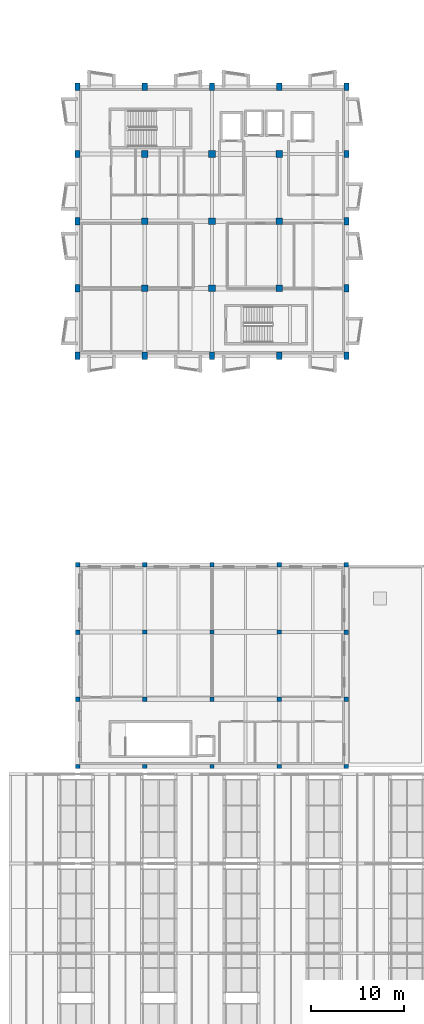
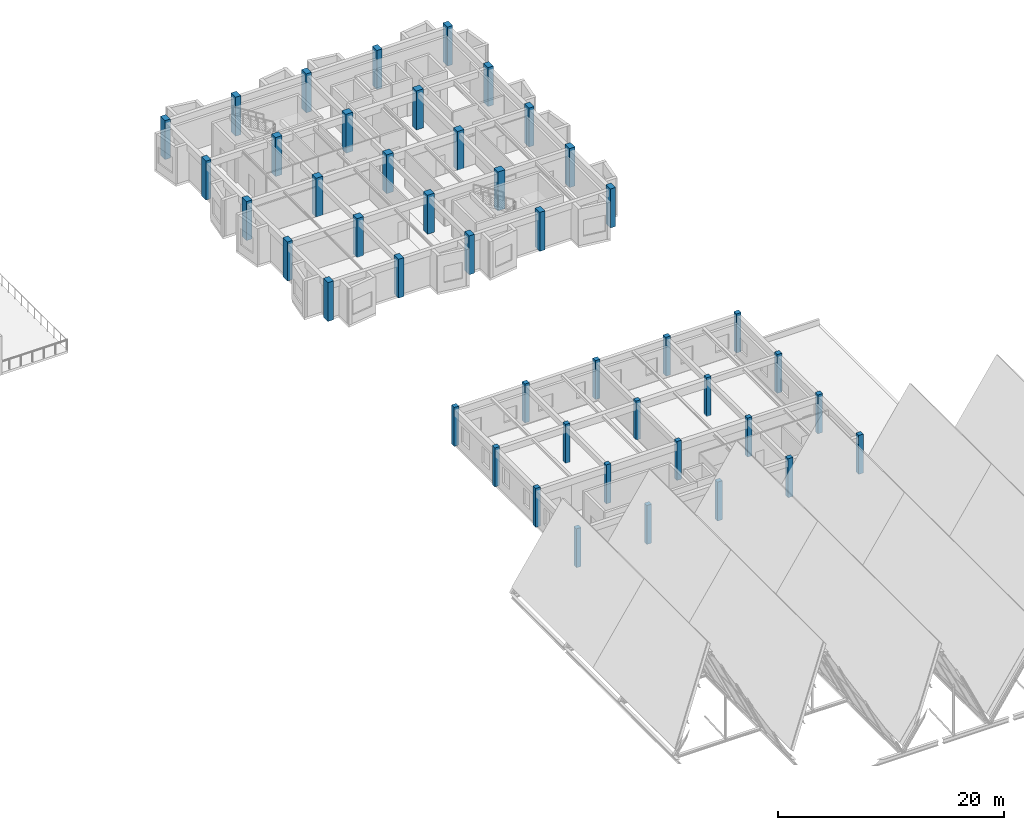
# One storey, part 5 of 99: 45 columns.
"""IFC4 building model written with IfcOpenShell, lengths in metres."""

from ifc_helpers import new_model, si_unit, direction, frame, origin, origin_2d, place, context, subcontext, project, spatial, rectangle, extrude, material, material_profile, profile_set, type_object, element, save


model = new_model("IFC4")

# Units and contexts
model_context = context("Model", 3, precision=1e-05, world=origin(), true_north=direction((0.0, 1.0)))
body_context = subcontext(model_context, "Body", "Model", "MODEL_VIEW")
ifc_project = project(units=[si_unit("LENGTHUNIT", "METRE"), si_unit("AREAUNIT", "SQUARE_METRE"), si_unit("VOLUMEUNIT", "CUBIC_METRE"), si_unit("PLANEANGLEUNIT", "RADIAN"), si_unit("MASSUNIT", "GRAM", prefix="KILO")], contexts=[model_context])

# Site, building, storey
site_placement = place(None, origin())
site = spatial("IfcSite", under=ifc_project, at=site_placement, CompositionType="ELEMENT")
building_placement = place(site_placement, origin())
building = spatial("IfcBuilding", under=site, at=building_placement, Name="Bramveld Media Centre", CompositionType="ELEMENT")
storey_placement = place(building_placement, frame((0.0, 0.0, 13.800048828125)))
storey = spatial("IfcBuildingStorey", under=building, at=storey_placement, Name="L03", CompositionType="ELEMENT", Elevation=13.800048828125)

# Columns
ifc_material_1 = material(Name="Concrete C40/50", Category="concrete")
ifc_material_profile_1 = material_profile(ifc_material_1, rectangle(XDim=0.47998046875, YDim=0.47998046875, at=origin_2d()), Name="RC 480x480")
ifc_profile_set_1 = profile_set([ifc_material_profile_1], Name="Concrete C40/50")
column_type_1 = type_object("IfcColumnType", Name="COL-EXT-RC-480x480", PredefinedType="COLUMN", material=ifc_profile_set_1)
for number, where, z_axis, x_axis, name in (
    (1, (131.199951171875, 39.199951171875, 0.0), (0.0, 0.0, 1.0), (1.0, 0.0, 0.0), "V4 L03 column RC 480x480"),
    (2, (131.199951171875, 46.39990234375, 0.0), (0.0, 0.0, 1.0), (1.0, 0.0, 0.0), "V4 L03 column RC 480x480"),
    (3, (131.199951171875, 53.60009765625, 0.0), (0.0, 0.0, 1.0), (1.0, 0.0, 0.0), "V4 L03 column RC 480x480"),
    (4, (131.199951171875, 60.800048828125, 0.0), (0.0, 0.0, 1.0), (1.0, 0.0, 0.0), "V4 L03 column RC 480x480"),
    (5, (138.39990234375, 39.199951171875, 0.0), (0.0, 0.0, 1.0), (1.0, 0.0, 0.0), "V4 L03 column RC 480x480"),
    (6, (138.39990234375, 60.800048828125, 0.0), (0.0, 0.0, 1.0), (1.0, 0.0, 0.0), "V4 L03 column RC 480x480"),
    (7, (145.60009765625, 39.199951171875, 0.0), (0.0, 0.0, 1.0), (1.0, 0.0, 0.0), "V4 L03 column RC 480x480"),
    (8, (145.60009765625, 60.800048828125, 0.0), (0.0, 0.0, 1.0), (1.0, 0.0, 0.0), "V4 L03 column RC 480x480"),
    (9, (152.800048828125, 39.199951171875, 0.0), (0.0, 0.0, 1.0), (1.0, 0.0, 0.0), "V4 L03 column RC 480x480"),
    (10, (152.800048828125, 60.800048828125, 0.0), (0.0, 0.0, 1.0), (1.0, 0.0, 0.0), "V4 L03 column RC 480x480"),
    (11, (160.0, 39.199951171875, 0.0), (0.0, 0.0, 1.0), (1.0, 0.0, 0.0), "V4 L03 column RC 480x480"),
    (12, (160.0, 46.39990234375, 0.0), (0.0, 0.0, 1.0), (1.0, 0.0, 0.0), "V4 L03 column RC 480x480"),
    (13, (160.0, 53.60009765625, 0.0), (0.0, 0.0, 1.0), (1.0, 0.0, 0.0), "V4 L03 column RC 480x480"),
    (14, (160.0, 60.800048828125, 0.0), (0.0, 0.0, 1.0), (1.0, 0.0, 0.0), "V4 L03 column RC 480x480"),
):
    element("IfcColumn", number, at=place(storey_placement, frame(where, z_axis=z_axis, x_axis=x_axis)), inside=storey, type_object=column_type_1, Name=name, PredefinedType="COLUMN", context=body_context, shape_type="SweptSolid", body=[
        extrude(rectangle(XDim=0.47998046875, YDim=0.47998046875, at=origin_2d()), origin(), (0.0, 0.0, 1.0), 4.199951171875),
    ])
ifc_material_2 = material(Name="Concrete C40/50", Category="concrete")
ifc_material_profile_2 = material_profile(ifc_material_2, rectangle(XDim=0.550048828125, YDim=0.800048828125, at=origin_2d()), Name="RC 550x800")
ifc_profile_set_2 = profile_set([ifc_material_profile_2], Name="Concrete C40/50")
column_type_2 = type_object("IfcColumnType", Name="COL-EXT-RC-550x800", PredefinedType="COLUMN", material=ifc_profile_set_2)
for number, where, z_axis, x_axis, name in (
    (15, (131.199951171875, 83.199951171875, 0.0), (0.0, 0.0, 1.0), (1.0, 0.0, 0.0), "V7 L03 column RC 550x800"),
    (16, (131.199951171875, 90.39990234375, 0.0), (0.0, 0.0, 1.0), (1.0, 0.0, 0.0), "V7 L03 column RC 550x800"),
    (17, (131.199951171875, 97.60009765625, 0.0), (0.0, 0.0, 1.0), (1.0, 0.0, 0.0), "V7 L03 column RC 550x800"),
    (18, (131.199951171875, 104.800048828125, 0.0), (0.0, 0.0, 1.0), (1.0, 0.0, 0.0), "V7 L03 column RC 550x800"),
    (19, (131.199951171875, 112.0, 0.0), (0.0, 0.0, 1.0), (1.0, 0.0, 0.0), "V7 L03 column RC 550x800"),
    (20, (138.39990234375, 83.199951171875, 0.0), (0.0, 0.0, 1.0), (1.0, 0.0, 0.0), "V7 L03 column RC 550x800"),
    (21, (138.39990234375, 112.0, 0.0), (0.0, 0.0, 1.0), (1.0, 0.0, 0.0), "V7 L03 column RC 550x800"),
    (22, (145.60009765625, 83.199951171875, 0.0), (0.0, 0.0, 1.0), (1.0, 0.0, 0.0), "V7 L03 column RC 550x800"),
    (23, (145.60009765625, 112.0, 0.0), (0.0, 0.0, 1.0), (1.0, 0.0, 0.0), "V7 L03 column RC 550x800"),
    (24, (152.800048828125, 83.199951171875, 0.0), (0.0, 0.0, 1.0), (1.0, 0.0, 0.0), "V7 L03 column RC 550x800"),
    (25, (152.800048828125, 112.0, 0.0), (0.0, 0.0, 1.0), (1.0, 0.0, 0.0), "V7 L03 column RC 550x800"),
    (26, (160.0, 83.199951171875, 0.0), (0.0, 0.0, 1.0), (1.0, 0.0, 0.0), "V7 L03 column RC 550x800"),
    (27, (160.0, 90.39990234375, 0.0), (0.0, 0.0, 1.0), (1.0, 0.0, 0.0), "V7 L03 column RC 550x800"),
    (28, (160.0, 97.60009765625, 0.0), (0.0, 0.0, 1.0), (1.0, 0.0, 0.0), "V7 L03 column RC 550x800"),
    (29, (160.0, 104.800048828125, 0.0), (0.0, 0.0, 1.0), (1.0, 0.0, 0.0), "V7 L03 column RC 550x800"),
    (30, (160.0, 112.0, 0.0), (0.0, 0.0, 1.0), (1.0, 0.0, 0.0), "V7 L03 column RC 550x800"),
):
    element("IfcColumn", number, at=place(storey_placement, frame(where, z_axis=z_axis, x_axis=x_axis)), inside=storey, type_object=column_type_2, Name=name, PredefinedType="COLUMN", context=body_context, shape_type="SweptSolid", body=[
        extrude(rectangle(XDim=0.550048828125, YDim=0.800048828125, at=origin_2d()), origin(), (0.0, 0.0, 1.0), 4.199951171875),
    ])
ifc_material_3 = material(Name="Concrete C40/50", Category="concrete")
ifc_material_profile_3 = material_profile(ifc_material_3, rectangle(XDim=0.449951171875, YDim=0.449951171875, at=origin_2d()), Name="RC 450x450")
ifc_profile_set_3 = profile_set([ifc_material_profile_3], Name="Concrete C40/50")
column_type_3 = type_object("IfcColumnType", Name="COL-INT-RC-450x450", PredefinedType="COLUMN", material=ifc_profile_set_3)
for number, where, z_axis, x_axis, name in (
    (31, (138.39990234375, 46.39990234375, 0.0), (0.0, 0.0, 1.0), (1.0, 0.0, 0.0), "V4 L03 column RC 450x450"),
    (32, (138.39990234375, 53.60009765625, 0.0), (0.0, 0.0, 1.0), (1.0, 0.0, 0.0), "V4 L03 column RC 450x450"),
    (33, (145.60009765625, 46.39990234375, 0.0), (0.0, 0.0, 1.0), (1.0, 0.0, 0.0), "V4 L03 column RC 450x450"),
    (34, (145.60009765625, 53.60009765625, 0.0), (0.0, 0.0, 1.0), (1.0, 0.0, 0.0), "V4 L03 column RC 450x450"),
    (35, (152.800048828125, 46.39990234375, 0.0), (0.0, 0.0, 1.0), (1.0, 0.0, 0.0), "V4 L03 column RC 450x450"),
    (36, (152.800048828125, 53.60009765625, 0.0), (0.0, 0.0, 1.0), (1.0, 0.0, 0.0), "V4 L03 column RC 450x450"),
):
    element("IfcColumn", number, at=place(storey_placement, frame(where, z_axis=z_axis, x_axis=x_axis)), inside=storey, type_object=column_type_3, Name=name, PredefinedType="COLUMN", context=body_context, shape_type="SweptSolid", body=[
        extrude(rectangle(XDim=0.449951171875, YDim=0.449951171875, at=origin_2d()), origin(), (0.0, 0.0, 1.0), 4.199951171875),
    ])
ifc_material_4 = material(Name="Concrete C40/50", Category="concrete")
ifc_material_profile_4 = material_profile(ifc_material_4, rectangle(XDim=0.699951171875, YDim=0.699951171875, at=origin_2d()), Name="RC 700x700")
ifc_profile_set_4 = profile_set([ifc_material_profile_4], Name="Concrete C40/50")
column_type_4 = type_object("IfcColumnType", Name="COL-INT-RC-700x700", PredefinedType="COLUMN", material=ifc_profile_set_4)
for number, where, z_axis, x_axis, name in (
    (37, (138.39990234375, 90.39990234375, 0.0), (0.0, 0.0, 1.0), (1.0, 0.0, 0.0), "V7 L03 column RC 700x700"),
    (38, (138.39990234375, 97.60009765625, 0.0), (0.0, 0.0, 1.0), (1.0, 0.0, 0.0), "V7 L03 column RC 700x700"),
    (39, (138.39990234375, 104.800048828125, 0.0), (0.0, 0.0, 1.0), (1.0, 0.0, 0.0), "V7 L03 column RC 700x700"),
    (40, (145.60009765625, 90.39990234375, 0.0), (0.0, 0.0, 1.0), (1.0, 0.0, 0.0), "V7 L03 column RC 700x700"),
    (41, (145.60009765625, 97.60009765625, 0.0), (0.0, 0.0, 1.0), (1.0, 0.0, 0.0), "V7 L03 column RC 700x700"),
    (42, (145.60009765625, 104.800048828125, 0.0), (0.0, 0.0, 1.0), (1.0, 0.0, 0.0), "V7 L03 column RC 700x700"),
    (43, (152.800048828125, 90.39990234375, 0.0), (0.0, 0.0, 1.0), (1.0, 0.0, 0.0), "V7 L03 column RC 700x700"),
    (44, (152.800048828125, 97.60009765625, 0.0), (0.0, 0.0, 1.0), (1.0, 0.0, 0.0), "V7 L03 column RC 700x700"),
    (45, (152.800048828125, 104.800048828125, 0.0), (0.0, 0.0, 1.0), (1.0, 0.0, 0.0), "V7 L03 column RC 700x700"),
):
    element("IfcColumn", number, at=place(storey_placement, frame(where, z_axis=z_axis, x_axis=x_axis)), inside=storey, type_object=column_type_4, Name=name, PredefinedType="COLUMN", context=body_context, shape_type="SweptSolid", body=[
        extrude(rectangle(XDim=0.699951171875, YDim=0.699951171875, at=origin_2d()), origin(), (0.0, 0.0, 1.0), 4.199951171875),
    ])

save(model, "model.ifc")
